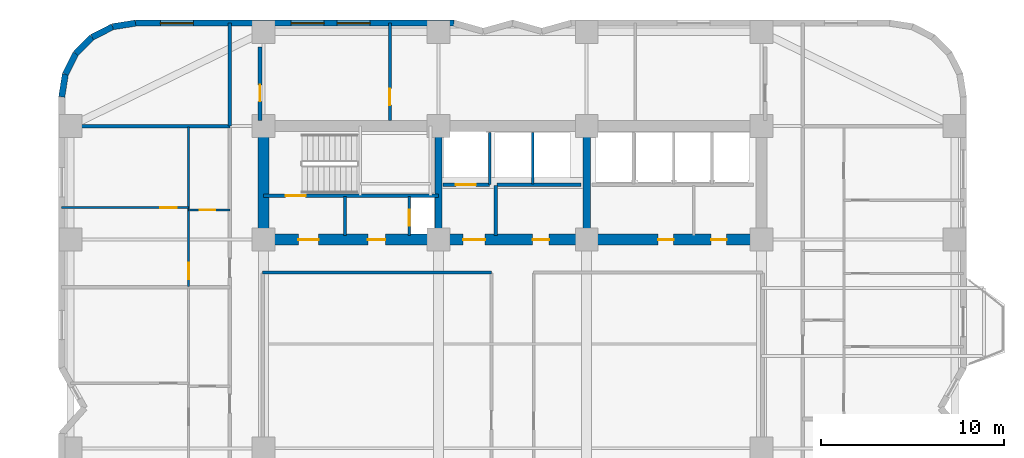
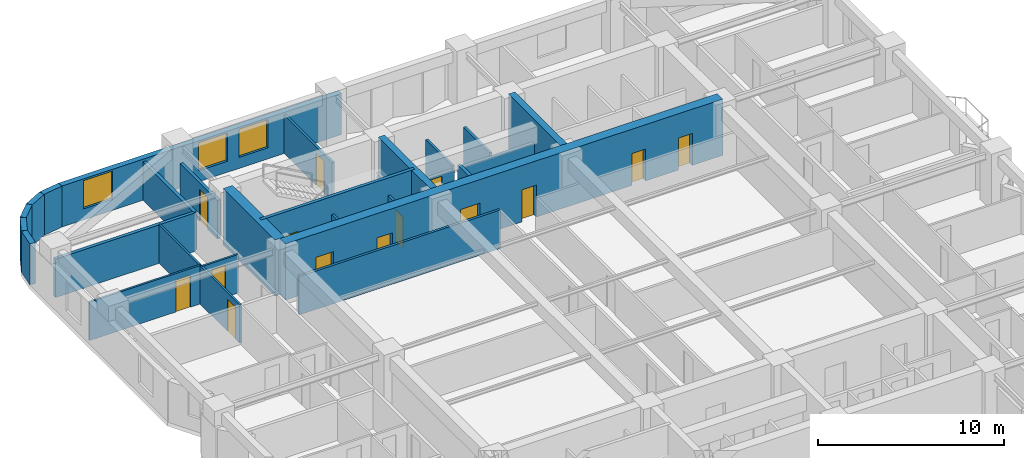
# One storey, part 6 of 9: 26 walls, 14 doors, 3 windows, 17 openings.
"""IFC4 building model written with IfcOpenShell, lengths in metres."""

from ifc_helpers import new_model, si_unit, direction, frame, frame_2d, origin, place, context, subcontext, project, spatial, rectangle, extrude, material, layer, layer_set, type_object, element, fill, save


model = new_model("IFC4")

# Units and contexts
model_context = context("Model", 3, precision=1e-05, world=origin(), true_north=direction((0.0, 1.0)))
body_context = subcontext(model_context, "Body", "Model", "MODEL_VIEW")
ifc_project = project(units=[si_unit("LENGTHUNIT", "METRE"), si_unit("AREAUNIT", "SQUARE_METRE"), si_unit("VOLUMEUNIT", "CUBIC_METRE"), si_unit("PLANEANGLEUNIT", "RADIAN"), si_unit("MASSUNIT", "GRAM", prefix="KILO")], contexts=[model_context])

# Site, building, storey
site_placement = place(None, origin())
site = spatial("IfcSite", under=ifc_project, at=site_placement, CompositionType="ELEMENT")
building_placement = place(site_placement, origin())
building = spatial("IfcBuilding", under=site, at=building_placement, Name="Svetorya Sky Lyceum", CompositionType="ELEMENT")
storey_placement = place(building_placement, frame((0.0, 0.0, 51.0)))
storey = spatial("IfcBuildingStorey", under=building, at=storey_placement, Name="L12", CompositionType="ELEMENT", Elevation=51.0)

# Walls
ifc_material_1 = material(Name="Concrete C40/50", Category="concrete")
ifc_layer_1 = layer(ifc_material_1, 0.39990234375)
ifc_layer_set_1 = layer_set([ifc_layer_1], Name="Concrete C40/50")
wall_type_1 = type_object("IfcWallType", Name="WL-CORE-400", PredefinedType="SHEAR", material=ifc_layer_set_1)
for number, where, z_axis, x_axis, name in (
    (1, (35.14990234375, 39.89990234375, 0.0), (0.0, 0.0, 1.0), (0.0, 1.0, 0.0), "L12 NC Internal Shear Web WEB1"),
    (2, (43.25, 39.89990234375, 0.0), (0.0, 0.0, 1.0), (0.0, 1.0, 0.0), "L12 NC Internal Shear Web WEB2"),
):
    element("IfcWall", number, at=place(storey_placement, frame(where, z_axis=z_axis, x_axis=x_axis)), inside=storey, type_object=wall_type_1, Name=name, PredefinedType="SHEAR", context=body_context, shape_type="SweptSolid", body=[
        extrude(rectangle(XDim=5.60009765625, YDim=0.39990234375, at=frame_2d((2.800048828125, 0.0))), origin(), (0.0, 0.0, 1.0), 3.699951171875),
    ])
ifc_material_2 = material(Name="Concrete C60/75", Category="concrete")
ifc_layer_2 = layer(ifc_material_2, 0.60009765625)
ifc_layer_set_2 = layer_set([ifc_layer_2], Name="Concrete C60/75")
wall_type_2 = type_object("IfcWallType", Name="WL-CORE-600", PredefinedType="SHEAR", material=ifc_layer_set_2)
wall_1_placement = place(storey_placement, frame((25.60009765625, 39.89990234375, 0.0), z_axis=(0.0, 0.0, 1.0), x_axis=(0.0, 1.0, 0.0)))
element("IfcWall", 3, at=wall_1_placement, inside=storey, type_object=wall_type_2, Name="L12 NC West Core Shear Wall", PredefinedType="SHEAR", context=body_context, shape_type="SweptSolid", body=[
    extrude(rectangle(XDim=5.60009765625, YDim=0.60009765625, at=frame_2d((2.800048828125, 0.0))), origin(), (0.0, 0.0, 1.0), 3.699951171875),
])

# Wall, openings, doors
wall_2_placement = place(storey_placement, frame((52.800048828125, 39.60009765625, 0.0), z_axis=(0.0, 0.0, 1.0), x_axis=(-1.0, 0.0, 0.0)))
wall_2 = element("IfcWall", 4, at=wall_2_placement, inside=storey, type_object=wall_type_2, Name="L12 NC Inner Core Shear Wall", PredefinedType="SHEAR", context=body_context, shape_type="SweptSolid", body=[
    extrude(rectangle(XDim=27.199951171875, YDim=0.60009765625, at=frame_2d((13.60009765625, 0.0))), origin(), (0.0, 0.0, 1.0), 3.699951171875),
])
opening_1_placement = place(wall_2_placement, frame((24.199951171875, 0.0, 0.0)))
opening_1 = element("IfcOpeningElement", 5, at=opening_1_placement, cuts=wall_2, Name="Opening D-ST1", PredefinedType="OPENING", context=body_context, shape_type="SweptSolid", body=[
    extrude(rectangle(XDim=1.10009765625, YDim=2.14990234375, at=frame_2d((0.550048828125, 1.074951171875))), frame((0.0, 0.31005859375, 0.0), z_axis=(0.0, -1.0, 0.0), x_axis=(1.0, 0.0, 0.0)), (0.0, 0.0, 1.0), 0.6201171875),
])
opening_2_placement = place(wall_2_placement, frame((20.550048828125, 0.0, 0.0)))
opening_2 = element("IfcOpeningElement", 6, at=opening_2_placement, cuts=wall_2, Name="Opening D-CAC1", PredefinedType="OPENING", context=body_context, shape_type="SweptSolid", body=[
    extrude(rectangle(XDim=0.949951171875, YDim=2.10009765625, at=frame_2d((0.47509765625, 1.050048828125))), frame((0.0, 0.31005859375, 0.0), z_axis=(0.0, -1.0, 0.0), x_axis=(1.0, 0.0, 0.0)), (0.0, 0.0, 1.0), 0.6201171875),
])
opening_3_placement = place(wall_2_placement, frame((15.10009765625, 0.0, 0.0)))
opening_3 = element("IfcOpeningElement", 7, at=opening_3_placement, cuts=wall_2, Name="Opening D-FL1", PredefinedType="OPENING", context=body_context, shape_type="SweptSolid", body=[
    extrude(rectangle(XDim=1.199951171875, YDim=2.14990234375, at=frame_2d((0.60009765625, 1.074951171875))), frame((0.0, 0.31005859375, 0.0), z_axis=(0.0, -1.0, 0.0), x_axis=(1.0, 0.0, 0.0)), (0.0, 0.0, 1.0), 0.6201171875),
])
opening_4_placement = place(wall_2_placement, frame((11.60009765625, 0.0, 0.0)))
opening_4 = element("IfcOpeningElement", 8, at=opening_4_placement, cuts=wall_2, Name="Opening D-RM1", PredefinedType="OPENING", context=body_context, shape_type="SweptSolid", body=[
    extrude(rectangle(XDim=0.89990234375, YDim=2.10009765625, at=frame_2d((0.449951171875, 1.050048828125))), frame((0.0, 0.31005859375, 0.0), z_axis=(0.0, -1.0, 0.0), x_axis=(1.0, 0.0, 0.0)), (0.0, 0.0, 1.0), 0.6201171875),
])
opening_5_placement = place(wall_2_placement, frame((4.800048828125, 0.0, 0.0)))
opening_5 = element("IfcOpeningElement", 9, at=opening_5_placement, cuts=wall_2, Name="Opening D-CWC1", PredefinedType="OPENING", context=body_context, shape_type="SweptSolid", body=[
    extrude(rectangle(XDim=0.85009765625, YDim=2.10009765625, at=frame_2d((0.425048828125, 1.050048828125))), frame((0.0, 0.31005859375, 0.0), z_axis=(0.0, -1.0, 0.0), x_axis=(1.0, 0.0, 0.0)), (0.0, 0.0, 1.0), 0.6201171875),
])
opening_6_placement = place(wall_2_placement, frame((1.89990234375, 0.0, 0.0)))
opening_6 = element("IfcOpeningElement", 10, at=opening_6_placement, cuts=wall_2, Name="Opening D-CWC1", PredefinedType="OPENING", context=body_context, shape_type="SweptSolid", body=[
    extrude(rectangle(XDim=0.85009765625, YDim=2.10009765625, at=frame_2d((0.425048828125, 1.050048828125))), frame((0.0, 0.31005859375, 0.0), z_axis=(0.0, -1.0, 0.0), x_axis=(1.0, 0.0, 0.0)), (0.0, 0.0, 1.0), 0.6201171875),
])
ifc_material_3 = material(Name="Fire-rated galvanized steel core accessible WC door", Category="steel")
door_type_1 = type_object("IfcDoorType", Name="DR-CACC-950", OperationType="SINGLE_SWING_LEFT", PredefinedType="DOOR", material=ifc_material_3)
door_1_placement = place(opening_2_placement, origin())
door_1 = element("IfcDoor", 11, at=door_1_placement, inside=storey, type_object=door_type_1, Name="L12 North Core Accessible WC Door", OperationType="SINGLE_SWING_RIGHT", OverallHeight=2.10009765625, OverallWidth=0.949951171875, PredefinedType="DOOR", context=body_context, shape_type="SweptSolid", body=[
    extrude(rectangle(XDim=0.949951171875, YDim=2.10009765625, at=frame_2d((0.47509765625, 1.050048828125))), frame((0.0, 0.02490234375, 0.0), z_axis=(0.0, -1.0, 0.0), x_axis=(1.0, 0.0, 0.0)), (0.0, 0.0, 1.0), 0.050048828125),
])
fill(opening_2, door_1)
ifc_material_4 = material(Name="Fire-rated galvanized steel core service closet door", Category="steel")
door_type_2 = type_object("IfcDoorType", Name="DR-CWET-850", OperationType="SINGLE_SWING_LEFT", PredefinedType="DOOR", material=ifc_material_4)
door_2_placement = place(opening_5_placement, origin())
door_2 = element("IfcDoor", 12, at=door_2_placement, inside=storey, type_object=door_type_2, Name="L12 North Pantry Door", OperationType="SINGLE_SWING_LEFT", OverallHeight=2.10009765625, OverallWidth=0.85009765625, PredefinedType="DOOR", context=body_context, shape_type="SweptSolid", body=[
    extrude(rectangle(XDim=0.85009765625, YDim=2.10009765625, at=frame_2d((0.425048828125, 1.050048828125))), frame((0.0, 0.02490234375, 0.0), z_axis=(0.0, -1.0, 0.0), x_axis=(1.0, 0.0, 0.0)), (0.0, 0.0, 1.0), 0.050048828125),
])
fill(opening_5, door_2)
door_3_placement = place(opening_6_placement, origin())
door_3 = element("IfcDoor", 13, at=door_3_placement, inside=storey, type_object=door_type_2, Name="L12 North Laundry Door", OperationType="SINGLE_SWING_RIGHT", OverallHeight=2.10009765625, OverallWidth=0.85009765625, PredefinedType="DOOR", context=body_context, shape_type="SweptSolid", body=[
    extrude(rectangle(XDim=0.85009765625, YDim=2.10009765625, at=frame_2d((0.425048828125, 1.050048828125))), frame((0.0, 0.02490234375, 0.0), z_axis=(0.0, -1.0, 0.0), x_axis=(1.0, 0.0, 0.0)), (0.0, 0.0, 1.0), 0.050048828125),
])
fill(opening_6, door_3)
ifc_material_5 = material(Name="Powder-coated insulated galvanized stair fire door")
door_type_3 = type_object("IfcDoorType", Name="DR-FIRE-1100", OperationType="SINGLE_SWING_LEFT", PredefinedType="DOOR", material=ifc_material_5)
door_4_placement = place(opening_1_placement, origin())
door_4 = element("IfcDoor", 14, at=door_4_placement, inside=storey, type_object=door_type_3, Name="L12 North Stair Airlock Door", OperationType="SINGLE_SWING_LEFT", OverallHeight=2.14990234375, OverallWidth=1.10009765625, PredefinedType="DOOR", context=body_context, shape_type="SweptSolid", body=[
    extrude(rectangle(XDim=1.10009765625, YDim=2.14990234375, at=frame_2d((0.550048828125, 1.074951171875))), frame((0.0, 0.02490234375, 0.0), z_axis=(0.0, -1.0, 0.0), x_axis=(1.0, 0.0, 0.0)), (0.0, 0.0, 1.0), 0.050048828125),
])
fill(opening_1, door_4)
ifc_material_6 = material(Name="Powder-coated insulated galvanized fire door")
door_type_4 = type_object("IfcDoorType", Name="DR-FIRE-1200", OperationType="SINGLE_SWING_LEFT", PredefinedType="DOOR", material=ifc_material_6)
door_5_placement = place(opening_3_placement, origin())
door_5 = element("IfcDoor", 15, at=door_5_placement, inside=storey, type_object=door_type_4, Name="L12 North Firefighting Lift Lobby Door", OperationType="SINGLE_SWING_RIGHT", OverallHeight=2.14990234375, OverallWidth=1.199951171875, PredefinedType="DOOR", context=body_context, shape_type="SweptSolid", body=[
    extrude(rectangle(XDim=1.199951171875, YDim=2.14990234375, at=frame_2d((0.60009765625, 1.074951171875))), frame((0.0, 0.02490234375, 0.0), z_axis=(0.0, -1.0, 0.0), x_axis=(1.0, 0.0, 0.0)), (0.0, 0.0, 1.0), 0.050048828125),
])
fill(opening_3, door_5)
ifc_material_7 = material(Name="Lacquered birch veneer internal door")
door_type_5 = type_object("IfcDoorType", Name="DR-INT-900", OperationType="SINGLE_SWING_LEFT", PredefinedType="DOOR", material=ifc_material_7)
door_6_placement = place(opening_4_placement, origin())
door_6 = element("IfcDoor", 16, at=door_6_placement, inside=storey, type_object=door_type_5, Name="L12 North Laundry Door", OperationType="SINGLE_SWING_RIGHT", OverallHeight=2.10009765625, OverallWidth=0.89990234375, PredefinedType="DOOR", context=body_context, shape_type="SweptSolid", body=[
    extrude(rectangle(XDim=0.89990234375, YDim=2.10009765625, at=frame_2d((0.449951171875, 1.050048828125))), frame((0.0, 0.02490234375, 0.0), z_axis=(0.0, -1.0, 0.0), x_axis=(1.0, 0.0, 0.0)), (0.0, 0.0, 1.0), 0.050048828125),
])
fill(opening_4, door_6)

# Wall, openings, windows
ifc_material_8 = material(Name="Putilovo limestone rainscreen on autoclaved cellular masonry", Category="masonry")
ifc_layer_3 = layer(ifc_material_8, 0.340087890625)
ifc_layer_set_3 = layer_set([ifc_layer_3], Name="Putilovo limestone rainscreen on autoclaved cellular masonry")
wall_type_3 = type_object("IfcWallType", Name="WL-EXT-340", PredefinedType="SOLIDWALL", material=ifc_layer_set_3)
wall_3_placement = place(storey_placement, frame((36.0, 51.429931640625, 0.0), z_axis=(0.0, 0.0, 1.0), x_axis=(-1.0, 0.0, 0.0)))
wall_3 = element("IfcWall", 17, at=wall_3_placement, inside=storey, type_object=wall_type_3, Name="L12 Limestone Exterior Wall 34M", PredefinedType="SOLIDWALL", context=body_context, shape_type="SweptSolid", body=[
    extrude(rectangle(XDim=17.39990234375, YDim=0.340087890625, at=frame_2d((8.699951171875, 0.0))), origin(), (0.0, 0.0, 1.0), 2.699951171875),
])
opening_7_placement = place(wall_3_placement, frame((4.580078125, 0.0, 0.72998046875)))
opening_7 = element("IfcOpeningElement", 18, at=opening_7_placement, cuts=wall_3, Name="Opening W-R1", PredefinedType="OPENING", context=body_context, shape_type="SweptSolid", body=[
    extrude(rectangle(XDim=1.800048828125, YDim=1.85009765625, at=frame_2d((0.89990234375, 0.925048828125))), frame((0.0, 0.179931640625, 0.0), z_axis=(0.0, -1.0, 0.0), x_axis=(1.0, 0.0, 0.0)), (0.0, 0.0, 1.0), 0.360107421875),
])
opening_8_placement = place(wall_3_placement, frame((7.10009765625, 0.0, 0.72998046875)))
opening_8 = element("IfcOpeningElement", 19, at=opening_8_placement, cuts=wall_3, Name="Opening W-R1", PredefinedType="OPENING", context=body_context, shape_type="SweptSolid", body=[
    extrude(rectangle(XDim=1.800048828125, YDim=1.85009765625, at=frame_2d((0.89990234375, 0.925048828125))), frame((0.0, 0.179931640625, 0.0), z_axis=(0.0, -1.0, 0.0), x_axis=(1.0, 0.0, 0.0)), (0.0, 0.0, 1.0), 0.360107421875),
])
opening_9_placement = place(wall_3_placement, frame((14.239990234375, 0.0, 0.72998046875)))
opening_9 = element("IfcOpeningElement", 20, at=opening_9_placement, cuts=wall_3, Name="Opening W-R1", PredefinedType="OPENING", context=body_context, shape_type="SweptSolid", body=[
    extrude(rectangle(XDim=1.800048828125, YDim=1.85009765625, at=frame_2d((0.89990234375, 0.925048828125))), frame((0.0, 0.179931640625, 0.0), z_axis=(0.0, -1.0, 0.0), x_axis=(1.0, 0.0, 0.0)), (0.0, 0.0, 1.0), 0.360107421875),
])
ifc_material_9 = material(Name="Thermally broken aluminium frame with triple low-E glazing", Category="aluminium")
window_type = type_object("IfcWindowType", Name="WN-RES-180", PartitioningType="DOUBLE_PANEL_VERTICAL", PredefinedType="WINDOW", material=ifc_material_9)
window_1_placement = place(opening_7_placement, origin())
window_1 = element("IfcWindow", 21, at=window_1_placement, inside=storey, type_object=window_type, Name="L12 Facade Window W-R1.34M.1", OverallHeight=1.85009765625, OverallWidth=1.800048828125, PartitioningType="SINGLE_PANEL", PredefinedType="WINDOW", context=body_context, shape_type="SweptSolid", body=[
    extrude(rectangle(XDim=1.800048828125, YDim=1.85009765625, at=frame_2d((0.89990234375, 0.925048828125))), frame((0.0, 0.030029296875, 0.0), z_axis=(0.0, -1.0, 0.0), x_axis=(1.0, 0.0, 0.0)), (0.0, 0.0, 1.0), 0.06005859375),
])
fill(opening_7, window_1)
window_2_placement = place(opening_8_placement, origin())
window_2 = element("IfcWindow", 22, at=window_2_placement, inside=storey, type_object=window_type, Name="L12 Facade Window W-R1.34M.2", OverallHeight=1.85009765625, OverallWidth=1.800048828125, PartitioningType="SINGLE_PANEL", PredefinedType="WINDOW", context=body_context, shape_type="SweptSolid", body=[
    extrude(rectangle(XDim=1.800048828125, YDim=1.85009765625, at=frame_2d((0.89990234375, 0.925048828125))), frame((0.0, 0.030029296875, 0.0), z_axis=(0.0, -1.0, 0.0), x_axis=(1.0, 0.0, 0.0)), (0.0, 0.0, 1.0), 0.06005859375),
])
fill(opening_8, window_2)
window_3_placement = place(opening_9_placement, origin())
window_3 = element("IfcWindow", 23, at=window_3_placement, inside=storey, type_object=window_type, Name="L12 Facade Window W-R1.34M.3", OverallHeight=1.85009765625, OverallWidth=1.800048828125, PartitioningType="SINGLE_PANEL", PredefinedType="WINDOW", context=body_context, shape_type="SweptSolid", body=[
    extrude(rectangle(XDim=1.800048828125, YDim=1.85009765625, at=frame_2d((0.89990234375, 0.925048828125))), frame((0.0, 0.030029296875, 0.0), z_axis=(0.0, -1.0, 0.0), x_axis=(1.0, 0.0, 0.0)), (0.0, 0.0, 1.0), 0.06005859375),
])
fill(opening_9, window_3)

# Walls
wall_4_placement = place(storey_placement, frame((18.60009765625, 51.429931640625, 0.0), z_axis=(0.0, 0.0, 1.0), x_axis=(-0.98771582066, -0.156260864002, 0.0)))
element("IfcWall", 24, at=wall_4_placement, inside=storey, type_object=wall_type_3, Name="L12 Limestone Exterior Wall 35M", PredefinedType="SOLIDWALL", context=body_context, shape_type="SweptSolid", body=[
    extrude(rectangle(XDim=1.2607421875, YDim=0.340087890625, at=frame_2d((0.63037109375, 0.0))), origin(), (0.0, 0.0, 1.0), 2.699951171875),
])
for number, where, z_axis, x_axis, name in (
    (25, (17.354736328125, 51.23291015625, 0.0), (0.0, 0.0, 1.0), (-0.890993689142, -0.454015689056, 0.0), "L12 Limestone Exterior Wall 36M"),
    (26, (16.231201171875, 50.660400390625, 0.0), (0.0, 0.0, 1.0), (-0.707106781187, -0.707106781187, 0.0), "L12 Limestone Exterior Wall 37M"),
    (27, (15.339599609375, 49.768798828125, 0.0), (0.0, 0.0, 1.0), (-0.454015689056, -0.890993689142, 0.0), "L12 Limestone Exterior Wall 38M"),
):
    element("IfcWall", number, at=place(storey_placement, frame(where, z_axis=z_axis, x_axis=x_axis)), inside=storey, type_object=wall_type_3, Name=name, PredefinedType="SOLIDWALL", context=body_context, shape_type="SweptSolid", body=[
        extrude(rectangle(XDim=1.260986328125, YDim=0.340087890625, at=frame_2d((0.63037109375, 0.0))), origin(), (0.0, 0.0, 1.0), 2.699951171875),
    ])
wall_5_placement = place(storey_placement, frame((14.76708984375, 48.645263671875, 0.0), z_axis=(0.0, 0.0, 1.0), x_axis=(-0.156260864002, -0.98771582066, 0.0)))
element("IfcWall", 28, at=wall_5_placement, inside=storey, type_object=wall_type_3, Name="L12 Limestone Exterior Wall 39M", PredefinedType="SOLIDWALL", context=body_context, shape_type="SweptSolid", body=[
    extrude(rectangle(XDim=1.2607421875, YDim=0.340087890625, at=frame_2d((0.63037109375, 0.0))), origin(), (0.0, 0.0, 1.0), 2.699951171875),
])

# Wall, opening, door
ifc_material_10 = material(Name="Twin-stud galvanized framing with double fireboard", Category="gypsum")
ifc_layer_4 = layer(ifc_material_10, 0.1201171875)
ifc_layer_set_4 = layer_set([ifc_layer_4], Name="Twin-stud galvanized framing with double fireboard")
wall_type_4 = type_object("IfcWallType", Name="WL-PART-120", PredefinedType="PARTITIONING", material=ifc_layer_set_4)
wall_6_placement = place(storey_placement, frame((21.5, 41.219970703125, 0.0), z_axis=(0.0, 0.0, 1.0), x_axis=(1.0, 0.0, 0.0)))
wall_6 = element("IfcWall", 29, at=wall_6_placement, inside=storey, type_object=wall_type_4, Name="L12 Interior Partition W4-WH1", PredefinedType="PARTITIONING", context=body_context, shape_type="SweptSolid", body=[
    extrude(rectangle(XDim=2.25, YDim=0.1201171875, at=frame_2d((1.125, 0.0))), origin(), (0.0, 0.0, 1.0), 2.530029296875),
])
opening_10_placement = place(wall_6_placement, frame((0.60009765625, 0.0, 0.0)))
opening_10 = element("IfcOpeningElement", 30, at=opening_10_placement, cuts=wall_6, Name="Opening D-BT1", PredefinedType="OPENING", context=body_context, shape_type="SweptSolid", body=[
    extrude(rectangle(XDim=0.85009765625, YDim=2.10009765625, at=frame_2d((0.425048828125, 1.050048828125))), frame((0.0, 0.070068359375, 0.0), z_axis=(0.0, -1.0, 0.0), x_axis=(1.0, 0.0, 0.0)), (0.0, 0.0, 1.0), 0.14013671875),
])
ifc_material_11 = material(Name="Moisture-resistant laminate bathroom door")
door_type_6 = type_object("IfcDoorType", Name="DR-WET-850", OperationType="SINGLE_SWING_LEFT", PredefinedType="DOOR", material=ifc_material_11)
door_7_placement = place(opening_10_placement, origin())
door_7 = element("IfcDoor", 31, at=door_7_placement, inside=storey, type_object=door_type_6, Name="Apartment W4 Bathroom Door", OperationType="SINGLE_SWING_RIGHT", OverallHeight=2.10009765625, OverallWidth=0.85009765625, PredefinedType="DOOR", context=body_context, shape_type="SweptSolid", body=[
    extrude(rectangle(XDim=0.85009765625, YDim=2.10009765625, at=frame_2d((0.425048828125, 1.050048828125))), frame((0.0, 0.02490234375, 0.0), z_axis=(0.0, -1.0, 0.0), x_axis=(1.0, 0.0, 0.0)), (0.0, 0.0, 1.0), 0.050048828125),
])
fill(opening_10, door_7)

wall_7_placement = place(storey_placement, frame((14.570068359375, 41.35009765625, 0.0), z_axis=(0.0, 0.0, 1.0), x_axis=(1.0, 0.0, 0.0)))
wall_7 = element("IfcWall", 32, at=wall_7_placement, inside=storey, type_object=wall_type_4, Name="L12 Interior Partition W4-WL1", PredefinedType="PARTITIONING", context=body_context, shape_type="SweptSolid", body=[
    extrude(rectangle(XDim=6.929931640625, YDim=0.1201171875, at=frame_2d((3.46484375, 0.0))), origin(), (0.0, 0.0, 1.0), 2.530029296875),
])
opening_11_placement = place(wall_7_placement, frame((5.3798828125, 0.0, 0.0)))
opening_11 = element("IfcOpeningElement", 33, at=opening_11_placement, cuts=wall_7, Name="Opening D-RM1", PredefinedType="OPENING", context=body_context, shape_type="SweptSolid", body=[
    extrude(rectangle(XDim=0.89990234375, YDim=2.10009765625, at=frame_2d((0.449951171875, 1.050048828125))), frame((0.0, 0.070068359375, 0.0), z_axis=(0.0, -1.0, 0.0), x_axis=(1.0, 0.0, 0.0)), (0.0, 0.0, 1.0), 0.14013671875),
])
door_8_placement = place(opening_11_placement, origin())
door_8 = element("IfcDoor", 34, at=door_8_placement, inside=storey, type_object=door_type_5, Name="Apartment W4 Bedroom 1 Door", OperationType="SINGLE_SWING_RIGHT", OverallHeight=2.10009765625, OverallWidth=0.89990234375, PredefinedType="DOOR", context=body_context, shape_type="SweptSolid", body=[
    extrude(rectangle(XDim=0.89990234375, YDim=2.10009765625, at=frame_2d((0.449951171875, 1.050048828125))), frame((0.0, 0.02490234375, 0.0), z_axis=(0.0, -1.0, 0.0), x_axis=(1.0, 0.0, 0.0)), (0.0, 0.0, 1.0), 0.050048828125),
])
fill(opening_11, door_8)

wall_8_placement = place(storey_placement, frame((21.5, 37.0400390625, 0.0), z_axis=(0.0, 0.0, 1.0), x_axis=(0.0, 1.0, 0.0)))
wall_8 = element("IfcWall", 35, at=wall_8_placement, inside=storey, type_object=wall_type_4, Name="L12 Interior Partition W4-WV", PredefinedType="PARTITIONING", context=body_context, shape_type="SweptSolid", body=[
    extrude(rectangle(XDim=8.719970703125, YDim=0.1201171875, at=frame_2d((4.35986328125, 0.0))), origin(), (0.0, 0.0, 1.0), 2.530029296875),
])
opening_12_placement = place(wall_8_placement, frame((0.409912109375, 0.0, 0.0)))
opening_12 = element("IfcOpeningElement", 36, at=opening_12_placement, cuts=wall_8, Name="Opening D-RM1", PredefinedType="OPENING", context=body_context, shape_type="SweptSolid", body=[
    extrude(rectangle(XDim=0.89990234375, YDim=2.10009765625, at=frame_2d((0.449951171875, 1.050048828125))), frame((0.0, 0.070068359375, 0.0), z_axis=(0.0, -1.0, 0.0), x_axis=(1.0, 0.0, 0.0)), (0.0, 0.0, 1.0), 0.14013671875),
])
door_9_placement = place(opening_12_placement, origin())
door_9 = element("IfcDoor", 37, at=door_9_placement, inside=storey, type_object=door_type_5, Name="Apartment W4 Living Door", OperationType="SINGLE_SWING_LEFT", OverallHeight=2.10009765625, OverallWidth=0.89990234375, PredefinedType="DOOR", context=body_context, shape_type="SweptSolid", body=[
    extrude(rectangle(XDim=0.89990234375, YDim=2.10009765625, at=frame_2d((0.449951171875, 1.050048828125))), frame((0.0, 0.02490234375, 0.0), z_axis=(0.0, -1.0, 0.0), x_axis=(1.0, 0.0, 0.0)), (0.0, 0.0, 1.0), 0.050048828125),
])
fill(opening_12, door_9)

ifc_material_12 = material(Name="Autoclaved cellular masonry blockwork with acoustic render", Category="masonry")
ifc_layer_5 = layer(ifc_material_12, 0.14990234375)
ifc_layer_set_5 = layer_set([ifc_layer_5], Name="Autoclaved cellular masonry blockwork with acoustic render")
wall_type_5 = type_object("IfcWallType", Name="WL-PART-150", PredefinedType="PARTITIONING", material=ifc_layer_set_5)
wall_9_placement = place(storey_placement, frame((33.550048828125, 39.820068359375, 0.0), z_axis=(0.0, 0.0, 1.0), x_axis=(0.0, 1.0, 0.0)))
wall_9 = element("IfcWall", 38, at=wall_9_placement, inside=storey, type_object=wall_type_5, Name="L12 Interior Partition NC-RSRW", PredefinedType="PARTITIONING", context=body_context, shape_type="SweptSolid", body=[
    extrude(rectangle(XDim=2.1298828125, YDim=0.14990234375, at=frame_2d((1.06494140625, 0.0))), origin(), (0.0, 0.0, 1.0), 2.530029296875),
])
opening_13_placement = place(wall_9_placement, frame((0.550048828125, 0.0, 0.0)))
opening_13 = element("IfcOpeningElement", 39, at=opening_13_placement, cuts=wall_9, Name="Opening D-SH1", PredefinedType="OPENING", context=body_context, shape_type="SweptSolid", body=[
    extrude(rectangle(XDim=0.85009765625, YDim=2.050048828125, at=frame_2d((0.425048828125, 1.02490234375))), frame((0.0, 0.0849609375, 0.0), z_axis=(0.0, -1.0, 0.0), x_axis=(1.0, 0.0, 0.0)), (0.0, 0.0, 1.0), 0.169921875),
])
ifc_material_13 = material(Name="Insulated galvanized riser inspection fire door")
door_type_7 = type_object("IfcDoorType", Name="DR-SHFT-850", OperationType="SINGLE_SWING_LEFT", PredefinedType="TRAPDOOR", material=ifc_material_13)
door_10_placement = place(opening_13_placement, origin())
door_10 = element("IfcDoor", 40, at=door_10_placement, inside=storey, type_object=door_type_7, Name="L12 North Riser Access Door", OperationType="SINGLE_SWING_LEFT", OverallHeight=2.050048828125, OverallWidth=0.85009765625, PredefinedType="TRAPDOOR", context=body_context, shape_type="SweptSolid", body=[
    extrude(rectangle(XDim=0.85009765625, YDim=2.050048828125, at=frame_2d((0.425048828125, 1.02490234375))), frame((0.0, 0.02490234375, 0.0), z_axis=(0.0, -1.0, 0.0), x_axis=(1.0, 0.0, 0.0)), (0.0, 0.0, 1.0), 0.050048828125),
])
fill(opening_13, door_10)

# Walls
wall_10_placement = place(storey_placement, frame((30.050048828125, 39.820068359375, 0.0), z_axis=(0.0, 0.0, 1.0), x_axis=(0.0, 1.0, 0.0)))
element("IfcWall", 41, at=wall_10_placement, inside=storey, type_object=wall_type_5, Name="L12 Interior Partition NC-NWD1", PredefinedType="PARTITIONING", context=body_context, shape_type="SweptSolid", body=[
    extrude(rectangle(XDim=2.1298828125, YDim=0.14990234375, at=frame_2d((1.06494140625, 0.0))), origin(), (0.0, 0.0, 1.0), 2.530029296875),
])
wall_11_placement = place(storey_placement, frame((37.949951171875, 42.60009765625, 0.0), z_axis=(0.0, 0.0, 1.0), x_axis=(0.0, 1.0, 0.0)))
element("IfcWall", 42, at=wall_11_placement, inside=storey, type_object=wall_type_5, Name="L12 Interior Partition NC-FL1SIDE", PredefinedType="PARTITIONING", context=body_context, shape_type="SweptSolid", body=[
    extrude(rectangle(XDim=2.849853515625, YDim=0.14990234375, at=frame_2d((1.4248046875, 0.0))), origin(), (0.0, 0.0, 1.0), 2.530029296875),
])
wall_12_placement = place(storey_placement, frame((40.300048828125, 42.64990234375, 0.0), z_axis=(0.0, 0.0, 1.0), x_axis=(0.0, 1.0, 0.0)))
element("IfcWall", 43, at=wall_12_placement, inside=storey, type_object=wall_type_5, Name="L12 Interior Partition NC-PM-D1", PredefinedType="PARTITIONING", context=body_context, shape_type="SweptSolid", body=[
    extrude(rectangle(XDim=2.800048828125, YDim=0.14990234375, at=frame_2d((1.39990234375, 0.0))), origin(), (0.0, 0.0, 1.0), 2.530029296875),
])
wall_13_placement = place(storey_placement, frame((25.550048828125, 37.800048828125, 0.0), z_axis=(0.0, 0.0, 1.0), x_axis=(1.0, 0.0, 0.0)))
element("IfcWall", 44, at=wall_13_placement, inside=storey, type_object=wall_type_5, Name="L12 Interior Partition CN-MID-W", PredefinedType="PARTITIONING", context=body_context, shape_type="SweptSolid", body=[
    extrude(rectangle(XDim=12.5, YDim=0.14990234375, at=frame_2d((6.25, 0.0))), origin(), (0.0, 0.0, 1.0), 2.530029296875),
])

# Wall, opening, door
wall_14_placement = place(storey_placement, frame((32.5, 46.10009765625, 0.0), z_axis=(0.0, 0.0, 1.0), x_axis=(0.0, 1.0, 0.0)))
wall_14 = element("IfcWall", 45, at=wall_14_placement, inside=storey, type_object=wall_type_5, Name="L12 Interior Partition N-D1", PredefinedType="PARTITIONING", context=body_context, shape_type="SweptSolid", body=[
    extrude(rectangle(XDim=5.329833984375, YDim=0.14990234375, at=frame_2d((2.6650390625, 0.0))), origin(), (0.0, 0.0, 1.0), 2.530029296875),
])
opening_14_placement = place(wall_14_placement, frame((0.85009765625, 0.0, 0.0)))
opening_14 = element("IfcOpeningElement", 46, at=opening_14_placement, cuts=wall_14, Name="Opening D-RM1", PredefinedType="OPENING", context=body_context, shape_type="SweptSolid", body=[
    extrude(rectangle(XDim=0.89990234375, YDim=2.10009765625, at=frame_2d((0.449951171875, 1.050048828125))), frame((0.0, 0.0849609375, 0.0), z_axis=(0.0, -1.0, 0.0), x_axis=(1.0, 0.0, 0.0)), (0.0, 0.0, 1.0), 0.169921875),
])
door_11_placement = place(opening_14_placement, origin())
door_11 = element("IfcDoor", 47, at=door_11_placement, inside=storey, type_object=door_type_5, Name="L12 North Store Door", OperationType="SINGLE_SWING_RIGHT", OverallHeight=2.10009765625, OverallWidth=0.89990234375, PredefinedType="DOOR", context=body_context, shape_type="SweptSolid", body=[
    extrude(rectangle(XDim=0.89990234375, YDim=2.10009765625, at=frame_2d((0.449951171875, 1.050048828125))), frame((0.0, 0.02490234375, 0.0), z_axis=(0.0, -1.0, 0.0), x_axis=(1.0, 0.0, 0.0)), (0.0, 0.0, 1.0), 0.050048828125),
])
fill(opening_14, door_11)

ifc_material_14 = material(Name="Autoclaved cellular masonry blockwork with gypsum plaster", Category="masonry")
ifc_layer_6 = layer(ifc_material_14, 0.199951171875)
ifc_layer_set_6 = layer_set([ifc_layer_6], Name="Autoclaved cellular masonry blockwork with gypsum plaster")
wall_type_6 = type_object("IfcWallType", Name="WL-PART-200", PredefinedType="PARTITIONING", material=ifc_layer_set_6)
wall_15_placement = place(storey_placement, frame((37.949951171875, 42.60009765625, 0.0), z_axis=(0.0, 0.0, 1.0), x_axis=(-1.0, 0.0, 0.0)))
wall_15 = element("IfcWall", 48, at=wall_15_placement, inside=storey, type_object=wall_type_6, Name="L12 Interior Partition NC-FL1W", PredefinedType="PARTITIONING", context=body_context, shape_type="SweptSolid", body=[
    extrude(rectangle(XDim=2.550048828125, YDim=0.199951171875, at=frame_2d((1.27490234375, 0.0))), origin(), (0.0, 0.0, 1.0), 2.300048828125),
])
opening_15_placement = place(wall_15_placement, frame((0.75, 0.0, 0.0)))
opening_15 = element("IfcOpeningElement", 49, at=opening_15_placement, cuts=wall_15, Name="Opening LD-FL", PredefinedType="OPENING", context=body_context, shape_type="SweptSolid", body=[
    extrude(rectangle(XDim=1.10009765625, YDim=2.14990234375, at=frame_2d((0.550048828125, 1.074951171875))), frame((0.0, 0.10986328125, 0.0), z_axis=(0.0, -1.0, 0.0), x_axis=(1.0, 0.0, 0.0)), (0.0, 0.0, 1.0), 0.219970703125),
])
ifc_material_15 = material(Name="Fire-rated stainless AISI 304 firefighting lift landing door")
door_type_8 = type_object("IfcDoorType", Name="DR-LIFT-1100", OperationType="SLIDING_TO_LEFT", PredefinedType="DOOR", material=ifc_material_15)
door_12_placement = place(opening_15_placement, origin())
door_12 = element("IfcDoor", 50, at=door_12_placement, inside=storey, type_object=door_type_8, Name="L12 Firefighting Lift FL1 Landing Door", OperationType="SLIDING_TO_LEFT", OverallHeight=2.14990234375, OverallWidth=1.10009765625, PredefinedType="DOOR", context=body_context, shape_type="SweptSolid", body=[
    extrude(rectangle(XDim=1.10009765625, YDim=2.14990234375, at=frame_2d((0.550048828125, 1.074951171875))), frame((0.0, 0.02490234375, 0.0), z_axis=(0.0, -1.0, 0.0), x_axis=(1.0, 0.0, 0.0)), (0.0, 0.0, 1.0), 0.050048828125),
])
fill(opening_15, door_12)

# Walls
wall_16_placement = place(storey_placement, frame((38.280029296875, 39.820068359375, 0.0), z_axis=(0.0, 0.0, 1.0), x_axis=(0.0, 1.0, 0.0)))
element("IfcWall", 51, at=wall_16_placement, inside=storey, type_object=wall_type_6, Name="L12 Interior Partition NC-FFLDIV", PredefinedType="PARTITIONING", context=body_context, shape_type="SweptSolid", body=[
    extrude(rectangle(XDim=2.72998046875, YDim=0.199951171875, at=frame_2d((1.364990234375, 0.0))), origin(), (0.0, 0.0, 1.0), 2.530029296875),
])
wall_17_placement = place(storey_placement, frame((42.949951171875, 42.60009765625, 0.0), z_axis=(0.0, 0.0, 1.0), x_axis=(-1.0, 0.0, 0.0)))
element("IfcWall", 52, at=wall_17_placement, inside=storey, type_object=wall_type_6, Name="L12 Interior Partition NC-PM12W", PredefinedType="PARTITIONING", context=body_context, shape_type="SweptSolid", body=[
    extrude(rectangle(XDim=4.599853515625, YDim=0.199951171875, at=frame_2d((2.2998046875, 0.0))), origin(), (0.0, 0.0, 1.0), 2.300048828125),
])
wall_18_placement = place(storey_placement, frame((14.989990234375, 45.800048828125, 0.0), z_axis=(0.0, 0.0, 1.0), x_axis=(1.0, 0.0, 0.0)))
element("IfcWall", 53, at=wall_18_placement, inside=storey, type_object=wall_type_6, Name="L12 Interior Partition W-CAP-N", PredefinedType="PARTITIONING", context=body_context, shape_type="SweptSolid", body=[
    extrude(rectangle(XDim=8.760009765625, YDim=0.199951171875, at=frame_2d((4.3798828125, 0.0))), origin(), (0.0, 0.0, 1.0), 2.530029296875),
])
wall_19_placement = place(storey_placement, frame((23.75, 45.800048828125, 0.0), z_axis=(0.0, 0.0, 1.0), x_axis=(0.0, 1.0, 0.0)))
element("IfcWall", 54, at=wall_19_placement, inside=storey, type_object=wall_type_6, Name="L12 Interior Partition WC-NW-END", PredefinedType="PARTITIONING", context=body_context, shape_type="SweptSolid", body=[
    extrude(rectangle(XDim=5.6298828125, YDim=0.199951171875, at=frame_2d((2.81494140625, 0.0))), origin(), (0.0, 0.0, 1.0), 2.530029296875),
])

# Wall, opening, door
wall_20_placement = place(storey_placement, frame((25.39990234375, 46.10009765625, 0.0), z_axis=(0.0, 0.0, 1.0), x_axis=(0.0, 1.0, 0.0)))
wall_20 = element("IfcWall", 55, at=wall_20_placement, inside=storey, type_object=wall_type_6, Name="L12 Interior Partition N-EW", PredefinedType="PARTITIONING", context=body_context, shape_type="SweptSolid", body=[
    extrude(rectangle(XDim=4.02978515625, YDim=0.199951171875, at=frame_2d((2.014892578125, 0.0))), origin(), (0.0, 0.0, 1.0), 2.530029296875),
])
opening_16_placement = place(wall_20_placement, frame((1.050048828125, 0.0, 0.0)))
opening_16 = element("IfcOpeningElement", 56, at=opening_16_placement, cuts=wall_20, Name="Opening D-RM1", PredefinedType="OPENING", context=body_context, shape_type="SweptSolid", body=[
    extrude(rectangle(XDim=0.89990234375, YDim=2.10009765625, at=frame_2d((0.449951171875, 1.050048828125))), frame((0.0, 0.10986328125, 0.0), z_axis=(0.0, -1.0, 0.0), x_axis=(1.0, 0.0, 0.0)), (0.0, 0.0, 1.0), 0.219970703125),
])
door_13_placement = place(opening_16_placement, origin())
door_13 = element("IfcDoor", 57, at=door_13_placement, inside=storey, type_object=door_type_5, Name="L12 North Study Door", OperationType="SINGLE_SWING_RIGHT", OverallHeight=2.10009765625, OverallWidth=0.89990234375, PredefinedType="DOOR", context=body_context, shape_type="SweptSolid", body=[
    extrude(rectangle(XDim=0.89990234375, YDim=2.10009765625, at=frame_2d((0.449951171875, 1.050048828125))), frame((0.0, 0.02490234375, 0.0), z_axis=(0.0, -1.0, 0.0), x_axis=(1.0, 0.0, 0.0)), (0.0, 0.0, 1.0), 0.050048828125),
])
fill(opening_16, door_13)

ifc_material_16 = material(Name="Concrete C50/60", Category="concrete")
ifc_layer_7 = layer(ifc_material_16, 0.199951171875)
ifc_layer_set_7 = layer_set([ifc_layer_7], Name="Concrete C50/60")
wall_type_7 = type_object("IfcWallType", Name="WL-SHW-200", PredefinedType="SHEAR", material=ifc_layer_set_7)
wall_21_placement = place(storey_placement, frame((35.14990234375, 42.0, 0.0), z_axis=(0.0, 0.0, 1.0), x_axis=(-1.0, 0.0, 0.0)))
wall_21 = element("IfcWall", 58, at=wall_21_placement, inside=storey, type_object=wall_type_7, Name="L12 Structural Stair Shaft Wall NC-STW", PredefinedType="SHEAR", context=body_context, shape_type="SweptSolid", body=[
    extrude(rectangle(XDim=9.5498046875, YDim=0.199951171875, at=frame_2d((4.77490234375, 0.0))), origin(), (0.0, 0.0, 1.0), 3.699951171875),
])
opening_17_placement = place(wall_21_placement, frame((7.25, 0.0, 0.0)))
opening_17 = element("IfcOpeningElement", 59, at=opening_17_placement, cuts=wall_21, Name="Opening D-ST1", PredefinedType="OPENING", context=body_context, shape_type="SweptSolid", body=[
    extrude(rectangle(XDim=1.10009765625, YDim=2.14990234375, at=frame_2d((0.550048828125, 1.074951171875))), frame((0.0, 0.10986328125, 0.0), z_axis=(0.0, -1.0, 0.0), x_axis=(1.0, 0.0, 0.0)), (0.0, 0.0, 1.0), 0.219970703125),
])
door_14_placement = place(opening_17_placement, origin())
door_14 = element("IfcDoor", 60, at=door_14_placement, inside=storey, type_object=door_type_3, Name="L12 Stair ST-N Vestibule Fire Door", OperationType="SINGLE_SWING_RIGHT", OverallHeight=2.14990234375, OverallWidth=1.10009765625, PredefinedType="DOOR", context=body_context, shape_type="SweptSolid", body=[
    extrude(rectangle(XDim=1.10009765625, YDim=2.14990234375, at=frame_2d((0.550048828125, 1.074951171875))), frame((0.0, 0.02490234375, 0.0), z_axis=(0.0, -1.0, 0.0), x_axis=(1.0, 0.0, 0.0)), (0.0, 0.0, 1.0), 0.050048828125),
])
fill(opening_17, door_14)

save(model, "model.ifc")
